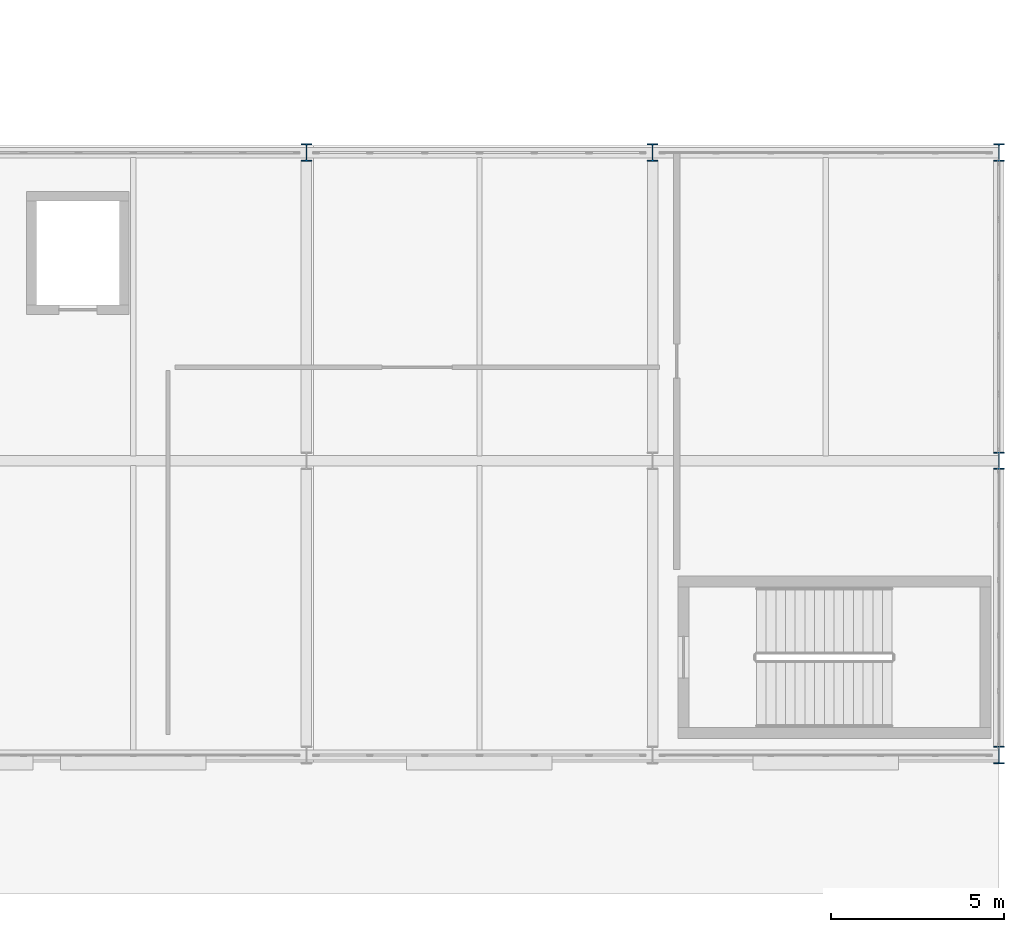
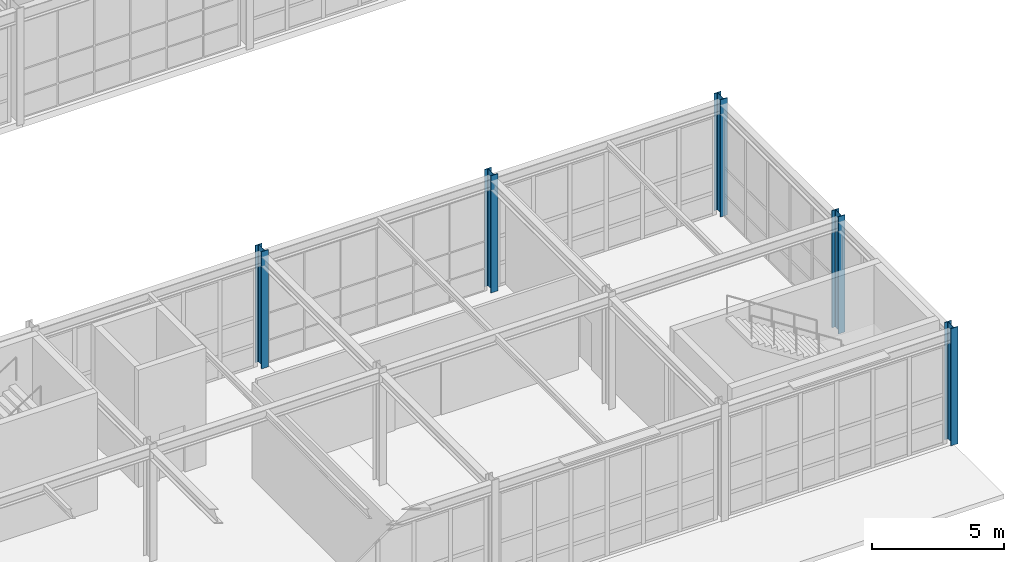
# One storey, part 14 of 210: 5 columns.
"""IFC4 building model written with IfcOpenShell, lengths in metres."""

from ifc_helpers import new_model, si_unit, direction, frame, origin, origin_2d, place, context, subcontext, project, spatial, i_section, extrude, material, material_profile, profile_set, type_object, element, save


model = new_model("IFC4")

# Units and contexts
model_context = context("Model", 3, precision=1e-05, world=origin(), true_north=direction((0.0, 1.0)))
body_context = subcontext(model_context, "Body", "Model", "MODEL_VIEW")
ifc_project = project(units=[si_unit("LENGTHUNIT", "METRE"), si_unit("AREAUNIT", "SQUARE_METRE"), si_unit("VOLUMEUNIT", "CUBIC_METRE"), si_unit("PLANEANGLEUNIT", "RADIAN"), si_unit("MASSUNIT", "GRAM", prefix="KILO")], contexts=[model_context])

# Site, building, storey
site_placement = place(None, origin())
site = spatial("IfcSite", under=ifc_project, at=site_placement, CompositionType="ELEMENT")
building_placement = place(site_placement, origin())
building = spatial("IfcBuilding", under=site, at=building_placement, Name="Kaldris Quays Convention Centre", CompositionType="ELEMENT")
storey_placement = place(building_placement, frame((0.0, 0.0, 6.0)))
storey = spatial("IfcBuildingStorey", under=building, at=storey_placement, Name="L01", CompositionType="ELEMENT", Elevation=6.0)

# Columns
ifc_material = material(Name="Steel S355J2", Category="steel")
ifc_material_profile = material_profile(ifc_material, i_section(OverallWidth=0.300048828125, OverallDepth=0.5, WebThickness=0.014404296875, FlangeThickness=0.028076171875, FilletRadius=0.027099609375, at=origin_2d()), Name="HEB 500")
ifc_profile_set = profile_set([ifc_material_profile], Name="Steel S355J2")
column_type = type_object("IfcColumnType", Name="STRUCTURAL COLUMN CL07", PredefinedType="COLUMN", material=ifc_profile_set)
for number, where, z_axis, x_axis, name in (
    (1, (184.0, 37.39990234375, 0.0), (0.0, 0.0, 1.0), (1.0, 0.0, 0.0), "L01 V5 Column CL07 (184.00, 37.40)"),
    (2, (194.0, 37.39990234375, 0.0), (0.0, 0.0, 1.0), (1.0, 0.0, 0.0), "L01 V5 Column CL07 (194.00, 37.40)"),
    (3, (204.0, 20.0, 0.0), (0.0, 0.0, 1.0), (1.0, 0.0, 0.0), "L01 V5 Column CL07 (204.00, 20.00)"),
    (4, (204.0, 28.5, 0.0), (0.0, 0.0, 1.0), (1.0, 0.0, 0.0), "L01 V5 Column CL07 (204.00, 28.50)"),
    (5, (204.0, 37.39990234375, 0.0), (0.0, 0.0, 1.0), (1.0, 0.0, 0.0), "L01 V5 Column CL07 (204.00, 37.40)"),
):
    element("IfcColumn", number, at=place(storey_placement, frame(where, z_axis=z_axis, x_axis=x_axis)), inside=storey, type_object=column_type, Name=name, PredefinedType="COLUMN", context=body_context, shape_type="SweptSolid", body=[
        extrude(i_section(OverallWidth=0.300048828125, OverallDepth=0.5, WebThickness=0.014404296875, FlangeThickness=0.028076171875, FilletRadius=0.027099609375, at=origin_2d()), origin(), (0.0, 0.0, 1.0), 5.39990234375),
    ])

save(model, "model.ifc")
